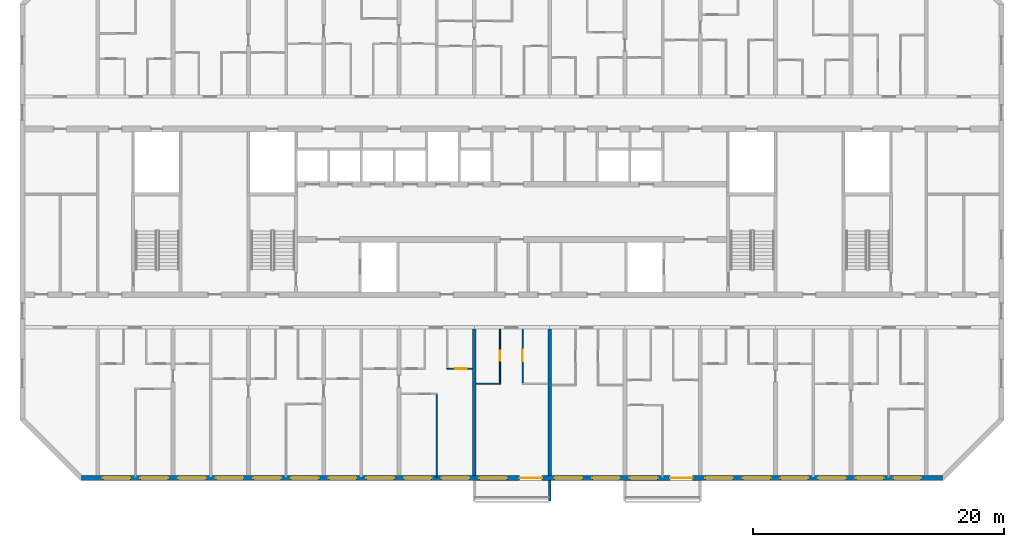
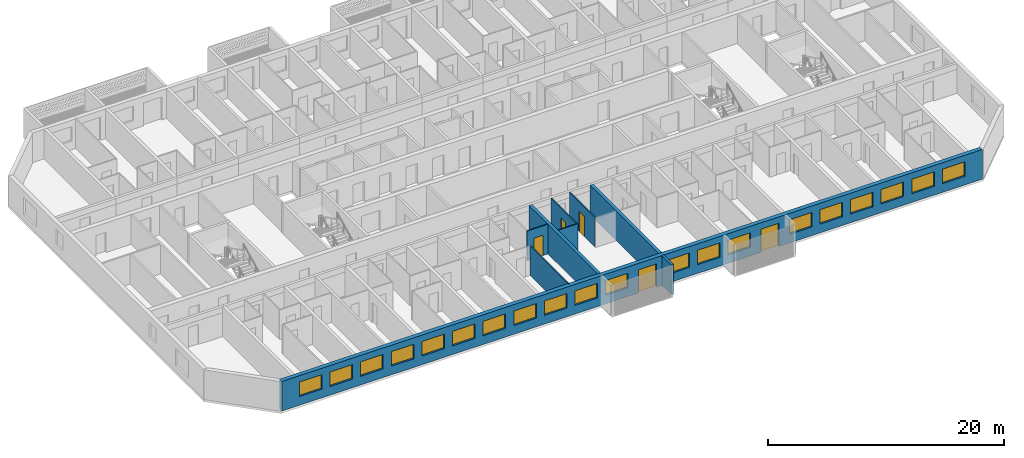
# One storey, part 4 of 31: 20 windows, 9 walls, 5 doors, 25 openings.
"""IFC4 building model written with IfcOpenShell, lengths in metres."""

from ifc_helpers import new_model, si_unit, direction, frame, frame_2d, origin, place, context, subcontext, project, spatial, polyline, rectangle, outline, extrude, source, transform, mapped, material, layer, layer_set, type_object, element, fill, save


model = new_model("IFC4")

# Units and contexts
model_context = context("Model", 3, precision=1e-05, world=origin(), true_north=direction((0.0, 1.0)))
body_context = subcontext(model_context, "Body", "Model", "MODEL_VIEW")
ifc_project = project(units=[si_unit("LENGTHUNIT", "METRE"), si_unit("AREAUNIT", "SQUARE_METRE"), si_unit("VOLUMEUNIT", "CUBIC_METRE"), si_unit("PLANEANGLEUNIT", "RADIAN"), si_unit("MASSUNIT", "GRAM", prefix="KILO")], contexts=[model_context])

# Site, building, storey
site_placement = place(None, origin())
site = spatial("IfcSite", under=ifc_project, at=site_placement, CompositionType="ELEMENT")
building_placement = place(site_placement, origin())
building = spatial("IfcBuilding", under=site, at=building_placement, Name="Poui Terraces", CompositionType="ELEMENT")
storey_placement = place(building_placement, frame((0.0, 0.0, 142.199951171875)))
storey = spatial("IfcBuildingStorey", under=building, at=storey_placement, Name="L39", CompositionType="ELEMENT", Elevation=142.199951171875)

# Walls
ifc_material_1 = material(Name="Concrete 65 MPa", Category="concrete")
ifc_layer_1 = layer(ifc_material_1, 0.300048828125)
ifc_layer_set_1 = layer_set([ifc_layer_1], Name="Concrete 65 MPa")
wall_type_1 = type_object("IfcWallType", Name="CROSS WALL 300 65MPa", PredefinedType="SHEAR", material=ifc_layer_set_1)
for number, where, z_axis, x_axis, name in (
    (1, (48.0, 0.199951171875, 0.0), (0.0, 0.0, 1.0), (0.0, 1.0, 0.0), "CROSS WALL LINE 9 SOUTH"),
    (2, (54.0, 0.199951171875, 0.0), (0.0, 0.0, 1.0), (0.0, 1.0, 0.0), "CROSS WALL LINE 10 SOUTH"),
):
    element("IfcWall", number, at=place(storey_placement, frame(where, z_axis=z_axis, x_axis=x_axis)), inside=storey, type_object=wall_type_1, Name=name, PredefinedType="SHEAR", context=body_context, shape_type="SweptSolid", body=[
        extrude(rectangle(XDim=11.675048828125, YDim=0.300048828125, at=frame_2d((5.83740234375, 0.0))), origin(), (0.0, 0.0, 1.0), 3.070068359375),
    ])

# Wall, openings, doors, windows
ifc_material_2 = material(Name="Precast concrete 40 MPa", Category="concrete")
ifc_layer_2 = layer(ifc_material_2, 0.39990234375)
ifc_layer_set_2 = layer_set([ifc_layer_2], Name="Precast concrete 40 MPa")
wall_type_2 = type_object("IfcWallType", Name="EXTERNAL WALL 400", PredefinedType="STANDARD", material=ifc_layer_set_2)
wall_1_placement = place(storey_placement, frame((16.682861328125, 0.0, 0.0), z_axis=(0.0, 0.0, 1.0), x_axis=(1.0, 0.0, 0.0)))
wall_1 = element("IfcWall", 3, at=wall_1_placement, inside=storey, type_object=wall_type_2, Name="EXTERNAL WALL S", PredefinedType="STANDARD", context=body_context, shape_type="SweptSolid", body=[
    extrude(rectangle(XDim=68.63427734375, YDim=0.39990234375, at=frame_2d((34.317138671875, 0.0))), origin(), (0.0, 0.0, 1.0), 3.070068359375),
])
opening_1_placement = place(wall_1_placement, frame((1.71728515625, 0.0, 0.89990234375)))
opening_1 = element("IfcOpeningElement", 4, at=opening_1_placement, cuts=wall_1, Name="Opening W1", PredefinedType="OPENING", context=body_context, shape_type="SweptSolid", body=[
    extrude(rectangle(XDim=2.199951171875, YDim=1.5, at=frame_2d((1.10009765625, 0.75))), frame((0.0, 0.2099609375, 0.0), z_axis=(0.0, -1.0, 0.0), x_axis=(1.0, 0.0, 0.0)), (0.0, 0.0, 1.0), 0.419921875),
])
opening_2_placement = place(wall_1_placement, frame((4.71728515625, 0.0, 0.89990234375)))
opening_2 = element("IfcOpeningElement", 5, at=opening_2_placement, cuts=wall_1, Name="Opening W1", PredefinedType="OPENING", context=body_context, shape_type="SweptSolid", body=[
    extrude(rectangle(XDim=2.199951171875, YDim=1.5, at=frame_2d((1.10009765625, 0.75))), frame((0.0, 0.2099609375, 0.0), z_axis=(0.0, -1.0, 0.0), x_axis=(1.0, 0.0, 0.0)), (0.0, 0.0, 1.0), 0.419921875),
])
opening_3_placement = place(wall_1_placement, frame((7.71728515625, 0.0, 0.89990234375)))
opening_3 = element("IfcOpeningElement", 6, at=opening_3_placement, cuts=wall_1, Name="Opening W1", PredefinedType="OPENING", context=body_context, shape_type="SweptSolid", body=[
    extrude(rectangle(XDim=2.199951171875, YDim=1.5, at=frame_2d((1.10009765625, 0.75))), frame((0.0, 0.2099609375, 0.0), z_axis=(0.0, -1.0, 0.0), x_axis=(1.0, 0.0, 0.0)), (0.0, 0.0, 1.0), 0.419921875),
])
opening_4_placement = place(wall_1_placement, frame((10.71728515625, 0.0, 0.89990234375)))
opening_4 = element("IfcOpeningElement", 7, at=opening_4_placement, cuts=wall_1, Name="Opening W1", PredefinedType="OPENING", context=body_context, shape_type="SweptSolid", body=[
    extrude(rectangle(XDim=2.199951171875, YDim=1.5, at=frame_2d((1.10009765625, 0.75))), frame((0.0, 0.2099609375, 0.0), z_axis=(0.0, -1.0, 0.0), x_axis=(1.0, 0.0, 0.0)), (0.0, 0.0, 1.0), 0.419921875),
])
opening_5_placement = place(wall_1_placement, frame((13.71728515625, 0.0, 0.89990234375)))
opening_5 = element("IfcOpeningElement", 8, at=opening_5_placement, cuts=wall_1, Name="Opening W1", PredefinedType="OPENING", context=body_context, shape_type="SweptSolid", body=[
    extrude(rectangle(XDim=2.199951171875, YDim=1.5, at=frame_2d((1.10009765625, 0.75))), frame((0.0, 0.2099609375, 0.0), z_axis=(0.0, -1.0, 0.0), x_axis=(1.0, 0.0, 0.0)), (0.0, 0.0, 1.0), 0.419921875),
])
opening_6_placement = place(wall_1_placement, frame((16.71728515625, 0.0, 0.89990234375)))
opening_6 = element("IfcOpeningElement", 9, at=opening_6_placement, cuts=wall_1, Name="Opening W1", PredefinedType="OPENING", context=body_context, shape_type="SweptSolid", body=[
    extrude(rectangle(XDim=2.199951171875, YDim=1.5, at=frame_2d((1.10009765625, 0.75))), frame((0.0, 0.2099609375, 0.0), z_axis=(0.0, -1.0, 0.0), x_axis=(1.0, 0.0, 0.0)), (0.0, 0.0, 1.0), 0.419921875),
])
opening_7_placement = place(wall_1_placement, frame((19.71728515625, 0.0, 0.89990234375)))
opening_7 = element("IfcOpeningElement", 10, at=opening_7_placement, cuts=wall_1, Name="Opening W1", PredefinedType="OPENING", context=body_context, shape_type="SweptSolid", body=[
    extrude(rectangle(XDim=2.199951171875, YDim=1.5, at=frame_2d((1.10009765625, 0.75))), frame((0.0, 0.2099609375, 0.0), z_axis=(0.0, -1.0, 0.0), x_axis=(1.0, 0.0, 0.0)), (0.0, 0.0, 1.0), 0.419921875),
])
opening_8_placement = place(wall_1_placement, frame((22.71728515625, 0.0, 0.89990234375)))
opening_8 = element("IfcOpeningElement", 11, at=opening_8_placement, cuts=wall_1, Name="Opening W1", PredefinedType="OPENING", context=body_context, shape_type="SweptSolid", body=[
    extrude(rectangle(XDim=2.199951171875, YDim=1.5, at=frame_2d((1.10009765625, 0.75))), frame((0.0, 0.2099609375, 0.0), z_axis=(0.0, -1.0, 0.0), x_axis=(1.0, 0.0, 0.0)), (0.0, 0.0, 1.0), 0.419921875),
])
opening_9_placement = place(wall_1_placement, frame((25.71728515625, 0.0, 0.89990234375)))
opening_9 = element("IfcOpeningElement", 12, at=opening_9_placement, cuts=wall_1, Name="Opening W1", PredefinedType="OPENING", context=body_context, shape_type="SweptSolid", body=[
    extrude(rectangle(XDim=2.199951171875, YDim=1.5, at=frame_2d((1.10009765625, 0.75))), frame((0.0, 0.2099609375, 0.0), z_axis=(0.0, -1.0, 0.0), x_axis=(1.0, 0.0, 0.0)), (0.0, 0.0, 1.0), 0.419921875),
])
opening_10_placement = place(wall_1_placement, frame((28.71728515625, 0.0, 0.89990234375)))
opening_10 = element("IfcOpeningElement", 13, at=opening_10_placement, cuts=wall_1, Name="Opening W1", PredefinedType="OPENING", context=body_context, shape_type="SweptSolid", body=[
    extrude(rectangle(XDim=2.199951171875, YDim=1.5, at=frame_2d((1.10009765625, 0.75))), frame((0.0, 0.2099609375, 0.0), z_axis=(0.0, -1.0, 0.0), x_axis=(1.0, 0.0, 0.0)), (0.0, 0.0, 1.0), 0.419921875),
])
opening_11_placement = place(wall_1_placement, frame((31.71728515625, 0.0, 0.89990234375)))
opening_11 = element("IfcOpeningElement", 14, at=opening_11_placement, cuts=wall_1, Name="Opening W1", PredefinedType="OPENING", context=body_context, shape_type="SweptSolid", body=[
    extrude(rectangle(XDim=2.199951171875, YDim=1.5, at=frame_2d((1.10009765625, 0.75))), frame((0.0, 0.2099609375, 0.0), z_axis=(0.0, -1.0, 0.0), x_axis=(1.0, 0.0, 0.0)), (0.0, 0.0, 1.0), 0.419921875),
])
opening_12_placement = place(wall_1_placement, frame((34.917236328125, 0.0, 0.0)))
opening_12 = element("IfcOpeningElement", 15, at=opening_12_placement, cuts=wall_1, Name="Opening BD1", PredefinedType="OPENING", context=body_context, shape_type="SweptSolid", body=[
    extrude(rectangle(XDim=1.800048828125, YDim=2.39990234375, at=frame_2d((0.89990234375, 1.199951171875))), frame((0.0, 0.2099609375, 0.0), z_axis=(0.0, -1.0, 0.0), x_axis=(1.0, 0.0, 0.0)), (0.0, 0.0, 1.0), 0.419921875),
])
opening_13_placement = place(wall_1_placement, frame((37.71728515625, 0.0, 0.89990234375)))
opening_13 = element("IfcOpeningElement", 16, at=opening_13_placement, cuts=wall_1, Name="Opening W1", PredefinedType="OPENING", context=body_context, shape_type="SweptSolid", body=[
    extrude(rectangle(XDim=2.199951171875, YDim=1.5, at=frame_2d((1.10009765625, 0.75))), frame((0.0, 0.2099609375, 0.0), z_axis=(0.0, -1.0, 0.0), x_axis=(1.0, 0.0, 0.0)), (0.0, 0.0, 1.0), 0.419921875),
])
opening_14_placement = place(wall_1_placement, frame((40.71728515625, 0.0, 0.89990234375)))
opening_14 = element("IfcOpeningElement", 17, at=opening_14_placement, cuts=wall_1, Name="Opening W1", PredefinedType="OPENING", context=body_context, shape_type="SweptSolid", body=[
    extrude(rectangle(XDim=2.199951171875, YDim=1.5, at=frame_2d((1.10009765625, 0.75))), frame((0.0, 0.2099609375, 0.0), z_axis=(0.0, -1.0, 0.0), x_axis=(1.0, 0.0, 0.0)), (0.0, 0.0, 1.0), 0.419921875),
])
opening_15_placement = place(wall_1_placement, frame((43.71728515625, 0.0, 0.89990234375)))
opening_15 = element("IfcOpeningElement", 18, at=opening_15_placement, cuts=wall_1, Name="Opening W1", PredefinedType="OPENING", context=body_context, shape_type="SweptSolid", body=[
    extrude(rectangle(XDim=2.199951171875, YDim=1.5, at=frame_2d((1.10009765625, 0.75))), frame((0.0, 0.2099609375, 0.0), z_axis=(0.0, -1.0, 0.0), x_axis=(1.0, 0.0, 0.0)), (0.0, 0.0, 1.0), 0.419921875),
])
opening_16_placement = place(wall_1_placement, frame((46.917236328125, 0.0, 0.0)))
opening_16 = element("IfcOpeningElement", 19, at=opening_16_placement, cuts=wall_1, Name="Opening BD1", PredefinedType="OPENING", context=body_context, shape_type="SweptSolid", body=[
    extrude(rectangle(XDim=1.800048828125, YDim=2.39990234375, at=frame_2d((0.89990234375, 1.199951171875))), frame((0.0, 0.2099609375, 0.0), z_axis=(0.0, -1.0, 0.0), x_axis=(1.0, 0.0, 0.0)), (0.0, 0.0, 1.0), 0.419921875),
])
opening_17_placement = place(wall_1_placement, frame((49.71728515625, 0.0, 0.89990234375)))
opening_17 = element("IfcOpeningElement", 20, at=opening_17_placement, cuts=wall_1, Name="Opening W1", PredefinedType="OPENING", context=body_context, shape_type="SweptSolid", body=[
    extrude(rectangle(XDim=2.199951171875, YDim=1.5, at=frame_2d((1.10009765625, 0.75))), frame((0.0, 0.2099609375, 0.0), z_axis=(0.0, -1.0, 0.0), x_axis=(1.0, 0.0, 0.0)), (0.0, 0.0, 1.0), 0.419921875),
])
opening_18_placement = place(wall_1_placement, frame((52.71728515625, 0.0, 0.89990234375)))
opening_18 = element("IfcOpeningElement", 21, at=opening_18_placement, cuts=wall_1, Name="Opening W1", PredefinedType="OPENING", context=body_context, shape_type="SweptSolid", body=[
    extrude(rectangle(XDim=2.199951171875, YDim=1.5, at=frame_2d((1.10009765625, 0.75))), frame((0.0, 0.2099609375, 0.0), z_axis=(0.0, -1.0, 0.0), x_axis=(1.0, 0.0, 0.0)), (0.0, 0.0, 1.0), 0.419921875),
])
opening_19_placement = place(wall_1_placement, frame((55.71728515625, 0.0, 0.89990234375)))
opening_19 = element("IfcOpeningElement", 22, at=opening_19_placement, cuts=wall_1, Name="Opening W1", PredefinedType="OPENING", context=body_context, shape_type="SweptSolid", body=[
    extrude(rectangle(XDim=2.199951171875, YDim=1.5, at=frame_2d((1.10009765625, 0.75))), frame((0.0, 0.2099609375, 0.0), z_axis=(0.0, -1.0, 0.0), x_axis=(1.0, 0.0, 0.0)), (0.0, 0.0, 1.0), 0.419921875),
])
opening_20_placement = place(wall_1_placement, frame((58.71728515625, 0.0, 0.89990234375)))
opening_20 = element("IfcOpeningElement", 23, at=opening_20_placement, cuts=wall_1, Name="Opening W1", PredefinedType="OPENING", context=body_context, shape_type="SweptSolid", body=[
    extrude(rectangle(XDim=2.199951171875, YDim=1.5, at=frame_2d((1.10009765625, 0.75))), frame((0.0, 0.2099609375, 0.0), z_axis=(0.0, -1.0, 0.0), x_axis=(1.0, 0.0, 0.0)), (0.0, 0.0, 1.0), 0.419921875),
])
opening_21_placement = place(wall_1_placement, frame((61.71728515625, 0.0, 0.89990234375)))
opening_21 = element("IfcOpeningElement", 24, at=opening_21_placement, cuts=wall_1, Name="Opening W1", PredefinedType="OPENING", context=body_context, shape_type="SweptSolid", body=[
    extrude(rectangle(XDim=2.199951171875, YDim=1.5, at=frame_2d((1.10009765625, 0.75))), frame((0.0, 0.2099609375, 0.0), z_axis=(0.0, -1.0, 0.0), x_axis=(1.0, 0.0, 0.0)), (0.0, 0.0, 1.0), 0.419921875),
])
opening_22_placement = place(wall_1_placement, frame((64.71728515625, 0.0, 0.89990234375)))
opening_22 = element("IfcOpeningElement", 25, at=opening_22_placement, cuts=wall_1, Name="Opening W1", PredefinedType="OPENING", context=body_context, shape_type="SweptSolid", body=[
    extrude(rectangle(XDim=2.199951171875, YDim=1.5, at=frame_2d((1.10009765625, 0.75))), frame((0.0, 0.2099609375, 0.0), z_axis=(0.0, -1.0, 0.0), x_axis=(1.0, 0.0, 0.0)), (0.0, 0.0, 1.0), 0.419921875),
])
ifc_material_3 = material(Name="Clear glass in aluminium frame", Category="aluminium")
door_type_1 = type_object("IfcDoorType", Name="BALCONY DOOR 1800X2400", OperationType="DOUBLE_DOOR_SLIDING", PredefinedType="DOOR", material=ifc_material_3)
door_1_placement = place(opening_12_placement, origin())
door_1 = element("IfcDoor", 26, at=door_1_placement, inside=storey, type_object=door_type_1, Name="BD1 BALCONY DOOR", OperationType="DOUBLE_DOOR_SLIDING", OverallHeight=2.39990234375, OverallWidth=1.800048828125, PredefinedType="DOOR", context=body_context, shape_type="SweptSolid", body=[
    extrude(rectangle(XDim=1.800048828125, YDim=2.39990234375, at=frame_2d((0.89990234375, 1.199951171875))), frame((0.0, 0.02490234375, 0.0), z_axis=(0.0, -1.0, 0.0), x_axis=(1.0, 0.0, 0.0)), (0.0, 0.0, 1.0), 0.050048828125),
])
fill(opening_12, door_1)
door_2_placement = place(opening_16_placement, origin())
door_2 = element("IfcDoor", 27, at=door_2_placement, inside=storey, type_object=door_type_1, Name="BD1 BALCONY DOOR", OperationType="DOUBLE_DOOR_SLIDING", OverallHeight=2.39990234375, OverallWidth=1.800048828125, PredefinedType="DOOR", context=body_context, shape_type="SweptSolid", body=[
    extrude(rectangle(XDim=1.800048828125, YDim=2.39990234375, at=frame_2d((0.89990234375, 1.199951171875))), frame((0.0, 0.02490234375, 0.0), z_axis=(0.0, -1.0, 0.0), x_axis=(1.0, 0.0, 0.0)), (0.0, 0.0, 1.0), 0.050048828125),
])
fill(opening_16, door_2)
window_type = type_object("IfcWindowType", Name="WINDOW 2200X1500", PartitioningType="DOUBLE_PANEL_HORIZONTAL", PredefinedType="WINDOW", material=ifc_material_3)
window_1_placement = place(opening_1_placement, origin())
window_1 = element("IfcWindow", 28, at=window_1_placement, inside=storey, type_object=window_type, Name="W1 WINDOW", OverallHeight=1.5, OverallWidth=2.199951171875, PartitioningType="DOUBLE_PANEL_HORIZONTAL", PredefinedType="WINDOW", context=body_context, shape_type="SweptSolid", body=[
    extrude(rectangle(XDim=2.199951171875, YDim=1.5, at=frame_2d((1.10009765625, 0.75))), frame((0.0, 0.030029296875, 0.0), z_axis=(0.0, -1.0, 0.0), x_axis=(1.0, 0.0, 0.0)), (0.0, 0.0, 1.0), 0.06005859375),
])
fill(opening_1, window_1)
window_2_placement = place(opening_2_placement, origin())
window_2 = element("IfcWindow", 29, at=window_2_placement, inside=storey, type_object=window_type, Name="W1 WINDOW", OverallHeight=1.5, OverallWidth=2.199951171875, PartitioningType="DOUBLE_PANEL_HORIZONTAL", PredefinedType="WINDOW", context=body_context, shape_type="SweptSolid", body=[
    extrude(rectangle(XDim=2.199951171875, YDim=1.5, at=frame_2d((1.10009765625, 0.75))), frame((0.0, 0.030029296875, 0.0), z_axis=(0.0, -1.0, 0.0), x_axis=(1.0, 0.0, 0.0)), (0.0, 0.0, 1.0), 0.06005859375),
])
fill(opening_2, window_2)
window_3_placement = place(opening_3_placement, origin())
window_3 = element("IfcWindow", 30, at=window_3_placement, inside=storey, type_object=window_type, Name="W1 WINDOW", OverallHeight=1.5, OverallWidth=2.199951171875, PartitioningType="DOUBLE_PANEL_HORIZONTAL", PredefinedType="WINDOW", context=body_context, shape_type="SweptSolid", body=[
    extrude(rectangle(XDim=2.199951171875, YDim=1.5, at=frame_2d((1.10009765625, 0.75))), frame((0.0, 0.030029296875, 0.0), z_axis=(0.0, -1.0, 0.0), x_axis=(1.0, 0.0, 0.0)), (0.0, 0.0, 1.0), 0.06005859375),
])
fill(opening_3, window_3)
window_4_placement = place(opening_4_placement, origin())
window_4 = element("IfcWindow", 31, at=window_4_placement, inside=storey, type_object=window_type, Name="W1 WINDOW", OverallHeight=1.5, OverallWidth=2.199951171875, PartitioningType="DOUBLE_PANEL_HORIZONTAL", PredefinedType="WINDOW", context=body_context, shape_type="SweptSolid", body=[
    extrude(rectangle(XDim=2.199951171875, YDim=1.5, at=frame_2d((1.10009765625, 0.75))), frame((0.0, 0.030029296875, 0.0), z_axis=(0.0, -1.0, 0.0), x_axis=(1.0, 0.0, 0.0)), (0.0, 0.0, 1.0), 0.06005859375),
])
fill(opening_4, window_4)
window_5_placement = place(opening_5_placement, origin())
window_5 = element("IfcWindow", 32, at=window_5_placement, inside=storey, type_object=window_type, Name="W1 WINDOW", OverallHeight=1.5, OverallWidth=2.199951171875, PartitioningType="DOUBLE_PANEL_HORIZONTAL", PredefinedType="WINDOW", context=body_context, shape_type="SweptSolid", body=[
    extrude(rectangle(XDim=2.199951171875, YDim=1.5, at=frame_2d((1.10009765625, 0.75))), frame((0.0, 0.030029296875, 0.0), z_axis=(0.0, -1.0, 0.0), x_axis=(1.0, 0.0, 0.0)), (0.0, 0.0, 1.0), 0.06005859375),
])
fill(opening_5, window_5)
window_6_placement = place(opening_6_placement, origin())
window_6 = element("IfcWindow", 33, at=window_6_placement, inside=storey, type_object=window_type, Name="W1 WINDOW", OverallHeight=1.5, OverallWidth=2.199951171875, PartitioningType="DOUBLE_PANEL_HORIZONTAL", PredefinedType="WINDOW", context=body_context, shape_type="SweptSolid", body=[
    extrude(rectangle(XDim=2.199951171875, YDim=1.5, at=frame_2d((1.10009765625, 0.75))), frame((0.0, 0.030029296875, 0.0), z_axis=(0.0, -1.0, 0.0), x_axis=(1.0, 0.0, 0.0)), (0.0, 0.0, 1.0), 0.06005859375),
])
fill(opening_6, window_6)
window_7_placement = place(opening_7_placement, origin())
window_7 = element("IfcWindow", 34, at=window_7_placement, inside=storey, type_object=window_type, Name="W1 WINDOW", OverallHeight=1.5, OverallWidth=2.199951171875, PartitioningType="DOUBLE_PANEL_HORIZONTAL", PredefinedType="WINDOW", context=body_context, shape_type="SweptSolid", body=[
    extrude(rectangle(XDim=2.199951171875, YDim=1.5, at=frame_2d((1.10009765625, 0.75))), frame((0.0, 0.030029296875, 0.0), z_axis=(0.0, -1.0, 0.0), x_axis=(1.0, 0.0, 0.0)), (0.0, 0.0, 1.0), 0.06005859375),
])
fill(opening_7, window_7)
window_8_placement = place(opening_8_placement, origin())
window_8 = element("IfcWindow", 35, at=window_8_placement, inside=storey, type_object=window_type, Name="W1 WINDOW", OverallHeight=1.5, OverallWidth=2.199951171875, PartitioningType="DOUBLE_PANEL_HORIZONTAL", PredefinedType="WINDOW", context=body_context, shape_type="SweptSolid", body=[
    extrude(rectangle(XDim=2.199951171875, YDim=1.5, at=frame_2d((1.10009765625, 0.75))), frame((0.0, 0.030029296875, 0.0), z_axis=(0.0, -1.0, 0.0), x_axis=(1.0, 0.0, 0.0)), (0.0, 0.0, 1.0), 0.06005859375),
])
fill(opening_8, window_8)
window_9_placement = place(opening_9_placement, origin())
window_9 = element("IfcWindow", 36, at=window_9_placement, inside=storey, type_object=window_type, Name="W1 WINDOW", OverallHeight=1.5, OverallWidth=2.199951171875, PartitioningType="DOUBLE_PANEL_HORIZONTAL", PredefinedType="WINDOW", context=body_context, shape_type="SweptSolid", body=[
    extrude(rectangle(XDim=2.199951171875, YDim=1.5, at=frame_2d((1.10009765625, 0.75))), frame((0.0, 0.030029296875, 0.0), z_axis=(0.0, -1.0, 0.0), x_axis=(1.0, 0.0, 0.0)), (0.0, 0.0, 1.0), 0.06005859375),
])
fill(opening_9, window_9)
window_10_placement = place(opening_10_placement, origin())
window_10 = element("IfcWindow", 37, at=window_10_placement, inside=storey, type_object=window_type, Name="W1 WINDOW", OverallHeight=1.5, OverallWidth=2.199951171875, PartitioningType="DOUBLE_PANEL_HORIZONTAL", PredefinedType="WINDOW", context=body_context, shape_type="SweptSolid", body=[
    extrude(rectangle(XDim=2.199951171875, YDim=1.5, at=frame_2d((1.10009765625, 0.75))), frame((0.0, 0.030029296875, 0.0), z_axis=(0.0, -1.0, 0.0), x_axis=(1.0, 0.0, 0.0)), (0.0, 0.0, 1.0), 0.06005859375),
])
fill(opening_10, window_10)
window_11_placement = place(opening_11_placement, origin())
window_11 = element("IfcWindow", 38, at=window_11_placement, inside=storey, type_object=window_type, Name="W1 WINDOW", OverallHeight=1.5, OverallWidth=2.199951171875, PartitioningType="DOUBLE_PANEL_HORIZONTAL", PredefinedType="WINDOW", context=body_context, shape_type="SweptSolid", body=[
    extrude(rectangle(XDim=2.199951171875, YDim=1.5, at=frame_2d((1.10009765625, 0.75))), frame((0.0, 0.030029296875, 0.0), z_axis=(0.0, -1.0, 0.0), x_axis=(1.0, 0.0, 0.0)), (0.0, 0.0, 1.0), 0.06005859375),
])
fill(opening_11, window_11)
window_12_placement = place(opening_13_placement, origin())
window_12 = element("IfcWindow", 39, at=window_12_placement, inside=storey, type_object=window_type, Name="W1 WINDOW", OverallHeight=1.5, OverallWidth=2.199951171875, PartitioningType="DOUBLE_PANEL_HORIZONTAL", PredefinedType="WINDOW", context=body_context, shape_type="SweptSolid", body=[
    extrude(rectangle(XDim=2.199951171875, YDim=1.5, at=frame_2d((1.10009765625, 0.75))), frame((0.0, 0.030029296875, 0.0), z_axis=(0.0, -1.0, 0.0), x_axis=(1.0, 0.0, 0.0)), (0.0, 0.0, 1.0), 0.06005859375),
])
fill(opening_13, window_12)
window_13_placement = place(opening_14_placement, origin())
window_13 = element("IfcWindow", 40, at=window_13_placement, inside=storey, type_object=window_type, Name="W1 WINDOW", OverallHeight=1.5, OverallWidth=2.199951171875, PartitioningType="DOUBLE_PANEL_HORIZONTAL", PredefinedType="WINDOW", context=body_context, shape_type="SweptSolid", body=[
    extrude(rectangle(XDim=2.199951171875, YDim=1.5, at=frame_2d((1.10009765625, 0.75))), frame((0.0, 0.030029296875, 0.0), z_axis=(0.0, -1.0, 0.0), x_axis=(1.0, 0.0, 0.0)), (0.0, 0.0, 1.0), 0.06005859375),
])
fill(opening_14, window_13)
window_14_placement = place(opening_15_placement, origin())
window_14 = element("IfcWindow", 41, at=window_14_placement, inside=storey, type_object=window_type, Name="W1 WINDOW", OverallHeight=1.5, OverallWidth=2.199951171875, PartitioningType="DOUBLE_PANEL_HORIZONTAL", PredefinedType="WINDOW", context=body_context, shape_type="SweptSolid", body=[
    extrude(rectangle(XDim=2.199951171875, YDim=1.5, at=frame_2d((1.10009765625, 0.75))), frame((0.0, 0.030029296875, 0.0), z_axis=(0.0, -1.0, 0.0), x_axis=(1.0, 0.0, 0.0)), (0.0, 0.0, 1.0), 0.06005859375),
])
fill(opening_15, window_14)
window_15_placement = place(opening_17_placement, origin())
window_15 = element("IfcWindow", 42, at=window_15_placement, inside=storey, type_object=window_type, Name="W1 WINDOW", OverallHeight=1.5, OverallWidth=2.199951171875, PartitioningType="DOUBLE_PANEL_HORIZONTAL", PredefinedType="WINDOW", context=body_context, shape_type="SweptSolid", body=[
    extrude(rectangle(XDim=2.199951171875, YDim=1.5, at=frame_2d((1.10009765625, 0.75))), frame((0.0, 0.030029296875, 0.0), z_axis=(0.0, -1.0, 0.0), x_axis=(1.0, 0.0, 0.0)), (0.0, 0.0, 1.0), 0.06005859375),
])
fill(opening_17, window_15)
window_16_placement = place(opening_18_placement, origin())
window_16 = element("IfcWindow", 43, at=window_16_placement, inside=storey, type_object=window_type, Name="W1 WINDOW", OverallHeight=1.5, OverallWidth=2.199951171875, PartitioningType="DOUBLE_PANEL_HORIZONTAL", PredefinedType="WINDOW", context=body_context, shape_type="SweptSolid", body=[
    extrude(rectangle(XDim=2.199951171875, YDim=1.5, at=frame_2d((1.10009765625, 0.75))), frame((0.0, 0.030029296875, 0.0), z_axis=(0.0, -1.0, 0.0), x_axis=(1.0, 0.0, 0.0)), (0.0, 0.0, 1.0), 0.06005859375),
])
fill(opening_18, window_16)
window_17_placement = place(opening_19_placement, origin())
window_17 = element("IfcWindow", 44, at=window_17_placement, inside=storey, type_object=window_type, Name="W1 WINDOW", OverallHeight=1.5, OverallWidth=2.199951171875, PartitioningType="DOUBLE_PANEL_HORIZONTAL", PredefinedType="WINDOW", context=body_context, shape_type="SweptSolid", body=[
    extrude(rectangle(XDim=2.199951171875, YDim=1.5, at=frame_2d((1.10009765625, 0.75))), frame((0.0, 0.030029296875, 0.0), z_axis=(0.0, -1.0, 0.0), x_axis=(1.0, 0.0, 0.0)), (0.0, 0.0, 1.0), 0.06005859375),
])
fill(opening_19, window_17)
window_18_placement = place(opening_20_placement, origin())
window_18 = element("IfcWindow", 45, at=window_18_placement, inside=storey, type_object=window_type, Name="W1 WINDOW", OverallHeight=1.5, OverallWidth=2.199951171875, PartitioningType="DOUBLE_PANEL_HORIZONTAL", PredefinedType="WINDOW", context=body_context, shape_type="SweptSolid", body=[
    extrude(rectangle(XDim=2.199951171875, YDim=1.5, at=frame_2d((1.10009765625, 0.75))), frame((0.0, 0.030029296875, 0.0), z_axis=(0.0, -1.0, 0.0), x_axis=(1.0, 0.0, 0.0)), (0.0, 0.0, 1.0), 0.06005859375),
])
fill(opening_20, window_18)
window_19_placement = place(opening_21_placement, origin())
window_19 = element("IfcWindow", 46, at=window_19_placement, inside=storey, type_object=window_type, Name="W1 WINDOW", OverallHeight=1.5, OverallWidth=2.199951171875, PartitioningType="DOUBLE_PANEL_HORIZONTAL", PredefinedType="WINDOW", context=body_context, shape_type="SweptSolid", body=[
    extrude(rectangle(XDim=2.199951171875, YDim=1.5, at=frame_2d((1.10009765625, 0.75))), frame((0.0, 0.030029296875, 0.0), z_axis=(0.0, -1.0, 0.0), x_axis=(1.0, 0.0, 0.0)), (0.0, 0.0, 1.0), 0.06005859375),
])
fill(opening_21, window_19)
window_20_placement = place(opening_22_placement, origin())
window_20 = element("IfcWindow", 47, at=window_20_placement, inside=storey, type_object=window_type, Name="W1 WINDOW", OverallHeight=1.5, OverallWidth=2.199951171875, PartitioningType="DOUBLE_PANEL_HORIZONTAL", PredefinedType="WINDOW", context=body_context, shape_type="SweptSolid", body=[
    extrude(rectangle(XDim=2.199951171875, YDim=1.5, at=frame_2d((1.10009765625, 0.75))), frame((0.0, 0.030029296875, 0.0), z_axis=(0.0, -1.0, 0.0), x_axis=(1.0, 0.0, 0.0)), (0.0, 0.0, 1.0), 0.06005859375),
])
fill(opening_22, window_20)

# Wall
ifc_material_4 = material(Name="Plasterboard partition")
ifc_layer_3 = layer(ifc_material_4, 0.10009765625)
ifc_layer_set_3 = layer_set([ifc_layer_3], Name="Plasterboard partition")
wall_type_3 = type_object("IfcWallType", Name="FLAT PARTITION 100", PredefinedType="PARTITIONING", material=ifc_layer_set_3)
wall_2_placement = place(storey_placement, frame((48.159912109375, 7.5, 0.0), z_axis=(0.0, 0.0, 1.0), x_axis=(1.0, 0.0, 0.0)))
element("IfcWall", 48, at=wall_2_placement, inside=storey, type_object=wall_type_3, Name="FLAT PARTITION 100", PredefinedType="PARTITIONING", context=body_context, shape_type="SweptSolid", body=[
    extrude(rectangle(XDim=1.940185546875, YDim=0.10009765625, at=frame_2d((0.97021484375, 0.0))), origin(), (0.0, 0.0, 1.0), 3.070068359375),
])

# Wall, opening, door
wall_3_placement = place(storey_placement, frame((45.800048828125, 8.699951171875, 0.0), z_axis=(0.0, 0.0, 1.0), x_axis=(1.0, 0.0, 0.0)))
wall_3 = element("IfcWall", 49, at=wall_3_placement, inside=storey, type_object=wall_type_3, Name="FLAT PARTITION 100", PredefinedType="PARTITIONING", context=body_context, shape_type="SweptSolid", body=[
    extrude(rectangle(XDim=2.0400390625, YDim=0.10009765625, at=frame_2d((1.02001953125, 0.0))), origin(), (0.0, 0.0, 1.0), 3.070068359375),
])
opening_23_placement = place(wall_3_placement, frame((0.675048828125, 0.0, 0.0)))
opening_23 = element("IfcOpeningElement", 50, at=opening_23_placement, cuts=wall_3, Name="Opening D90", PredefinedType="OPENING", context=body_context, shape_type="SweptSolid", body=[
    extrude(rectangle(XDim=0.89990234375, YDim=2.10009765625, at=frame_2d((0.449951171875, 1.050048828125))), frame((0.0, 0.06005859375, 0.0), z_axis=(0.0, -1.0, 0.0), x_axis=(1.0, 0.0, 0.0)), (0.0, 0.0, 1.0), 0.1201171875),
])
ifc_material_5 = material(Name="Solid core timber door", Category="wood")
door_type_2 = type_object("IfcDoorType", Name="INTERNAL DOOR 900 X 2100", OperationType="NOTDEFINED", PredefinedType="DOOR", material=ifc_material_5)
door_3_placement = place(opening_23_placement, origin())
door_3 = element("IfcDoor", 51, at=door_3_placement, inside=storey, type_object=door_type_2, Name="INTERNAL DOOR 097", OperationType="SINGLE_SWING_LEFT", OverallHeight=2.10009765625, OverallWidth=0.89990234375, PredefinedType="DOOR", context=body_context, shape_type="SweptSolid", body=[
    extrude(rectangle(XDim=0.89990234375, YDim=2.10009765625, at=frame_2d((0.449951171875, 1.050048828125))), frame((0.0, 0.02490234375, 0.0), z_axis=(0.0, -1.0, 0.0), x_axis=(1.0, 0.0, 0.0)), (0.0, 0.0, 1.0), 0.050048828125),
])
fill(opening_23, door_3)

# Wall
wall_4_placement = place(storey_placement, frame((45.0, 0.06005859375, 0.0), z_axis=(0.0, 0.0, 1.0), x_axis=(0.0, 1.0, 0.0)))
element("IfcWall", 52, at=wall_4_placement, inside=storey, type_object=wall_type_3, Name="FLAT PARTITION 100", PredefinedType="PARTITIONING", context=body_context, shape_type="SweptSolid", body=[
    extrude(rectangle(XDim=6.58984375, YDim=0.10009765625, at=frame_2d((3.294921875, 0.0))), origin(), (0.0, 0.0, 1.0), 3.070068359375),
])

# Wall, opening, door
wall_5_placement = place(storey_placement, frame((50.050048828125, 7.550048828125, 0.0), z_axis=(0.0, 0.0, 1.0), x_axis=(0.0, 1.0, 0.0)))
wall_5 = element("IfcWall", 53, at=wall_5_placement, inside=storey, type_object=wall_type_3, Name="FLAT PARTITION 100", PredefinedType="PARTITIONING", context=body_context, shape_type="SweptSolid", body=[
    extrude(rectangle(XDim=4.31494140625, YDim=0.10009765625, at=frame_2d((2.157470703125, 0.0))), origin(), (0.0, 0.0, 1.0), 3.070068359375),
])
opening_24_placement = place(wall_5_placement, frame((1.800048828125, 0.0, 0.0)))
opening_24 = element("IfcOpeningElement", 54, at=opening_24_placement, cuts=wall_5, Name="Opening D80", PredefinedType="OPENING", context=body_context, shape_type="SweptSolid", body=[
    extrude(rectangle(XDim=0.800048828125, YDim=2.10009765625, at=frame_2d((0.39990234375, 1.050048828125))), frame((0.0, 0.06005859375, 0.0), z_axis=(0.0, -1.0, 0.0), x_axis=(1.0, 0.0, 0.0)), (0.0, 0.0, 1.0), 0.1201171875),
])
door_type_3 = type_object("IfcDoorType", Name="BATHROOM, LAUNDRY AND STORE DOOR 800 X 2100", OperationType="NOTDEFINED", PredefinedType="DOOR", material=ifc_material_5)
door_4_placement = place(opening_24_placement, origin())
door_4 = element("IfcDoor", 55, at=door_4_placement, inside=storey, type_object=door_type_3, Name="BATHROOM, LAUNDRY AND STORE DOOR 098", OperationType="SINGLE_SWING_RIGHT", OverallHeight=2.10009765625, OverallWidth=0.800048828125, PredefinedType="DOOR", context=body_context, shape_type="SweptSolid", body=[
    extrude(rectangle(XDim=0.800048828125, YDim=2.10009765625, at=frame_2d((0.39990234375, 1.050048828125))), frame((0.0, 0.02490234375, 0.0), z_axis=(0.0, -1.0, 0.0), x_axis=(1.0, 0.0, 0.0)), (0.0, 0.0, 1.0), 0.050048828125),
])
fill(opening_24, door_4)

wall_6_placement = place(storey_placement, frame((51.85009765625, 7.550048828125, 0.0), z_axis=(0.0, 0.0, 1.0), x_axis=(0.0, 1.0, 0.0)))
wall_6 = element("IfcWall", 56, at=wall_6_placement, inside=storey, type_object=wall_type_3, Name="FLAT PARTITION 100", PredefinedType="PARTITIONING", context=body_context, shape_type="SweptSolid", body=[
    extrude(rectangle(XDim=4.31494140625, YDim=0.10009765625, at=frame_2d((2.157470703125, 0.0))), origin(), (0.0, 0.0, 1.0), 3.070068359375),
])
opening_25_placement = place(wall_6_placement, frame((1.75, 0.0, 0.0)))
opening_25 = element("IfcOpeningElement", 57, at=opening_25_placement, cuts=wall_6, Name="Opening D90", PredefinedType="OPENING", context=body_context, shape_type="SweptSolid", body=[
    extrude(rectangle(XDim=0.89990234375, YDim=2.10009765625, at=frame_2d((0.449951171875, 1.050048828125))), frame((0.0, 0.06005859375, 0.0), z_axis=(0.0, -1.0, 0.0), x_axis=(1.0, 0.0, 0.0)), (0.0, 0.0, 1.0), 0.1201171875),
])
door_5_placement = place(opening_25_placement, frame((0.89990234375, 0.0, 0.0), z_axis=(0.0, 0.0, 1.0), x_axis=(-1.0, 0.0, 0.0)))
door_5 = element("IfcDoor", 58, at=door_5_placement, inside=storey, type_object=door_type_2, Name="INTERNAL DOOR 100", OperationType="SINGLE_SWING_RIGHT", OverallHeight=2.10009765625, OverallWidth=0.89990234375, PredefinedType="DOOR", context=body_context, shape_type="SweptSolid", body=[
    extrude(rectangle(XDim=0.89990234375, YDim=2.10009765625, at=frame_2d((0.449951171875, 1.050048828125))), frame((0.0, 0.02490234375, 0.0), z_axis=(0.0, -1.0, 0.0), x_axis=(1.0, 0.0, 0.0)), (0.0, 0.0, 1.0), 0.050048828125),
])
fill(opening_25, door_5)

# Wall
ifc_layer_4 = layer(ifc_material_2, 0.199951171875)
ifc_layer_set_4 = layer_set([ifc_layer_4], Name="Precast concrete 40 MPa")
wall_type_4 = type_object("IfcWallType", Name="REAR FIN 200", PredefinedType="STANDARD", material=ifc_layer_set_4)
shared_shape = source(origin(), body_context, "Body", "SweptSolid", [
    extrude(outline(polyline([(0.0, 0.0), (0.2001953125, 0.0), (0.2001953125, 1.650146484375), (0.0, 1.650146484375), (0.0, 0.0)])), origin(), (0.0, 0.0, 1.0), 3.10009765625),
])
wall_7_placement = place(storey_placement, frame((53.89990234375, -1.85009765625, 0.0)))
element("IfcWall", 59, at=wall_7_placement, inside=storey, type_object=wall_type_4, Name="REAR FIN", PredefinedType="STANDARD", context=body_context, shape_type="MappedRepresentation", body=[
    mapped(shared_shape, transform((0.0, 0.0, 0.0))),
])

save(model, "model.ifc")
